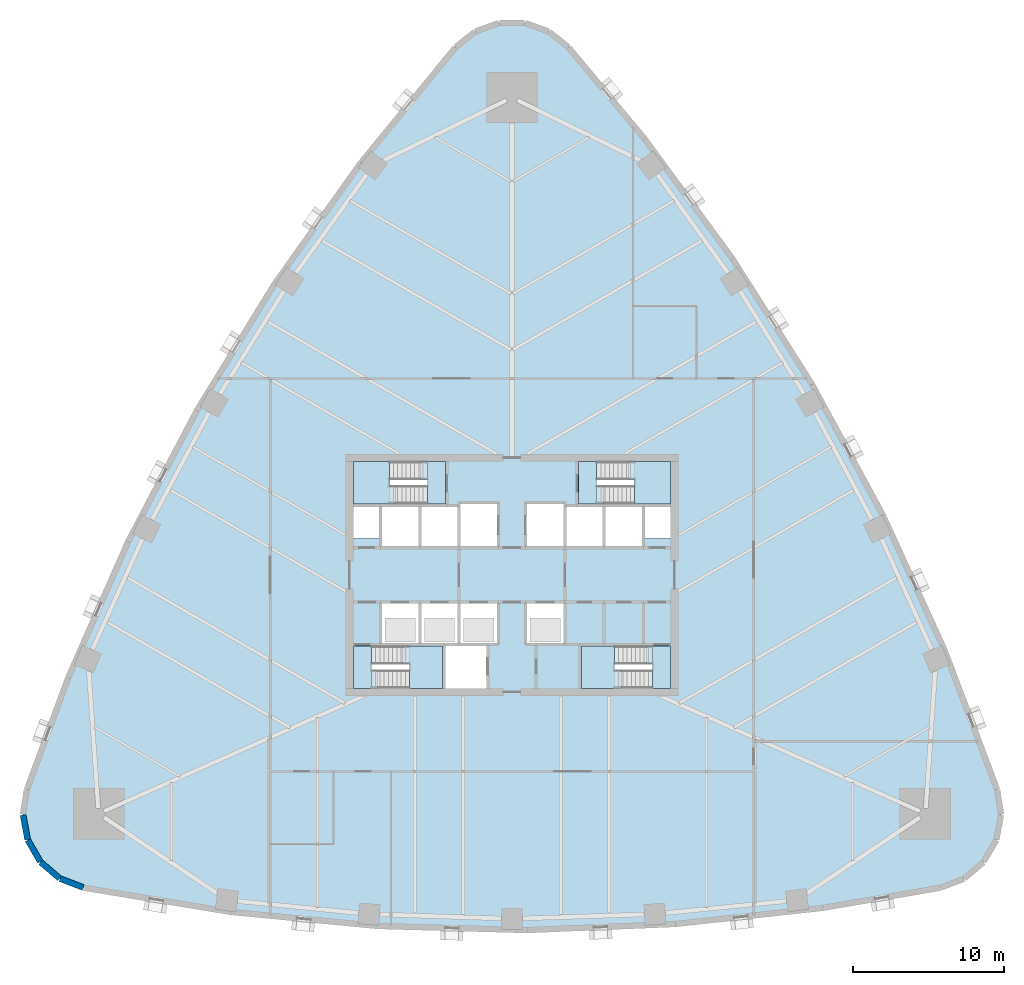
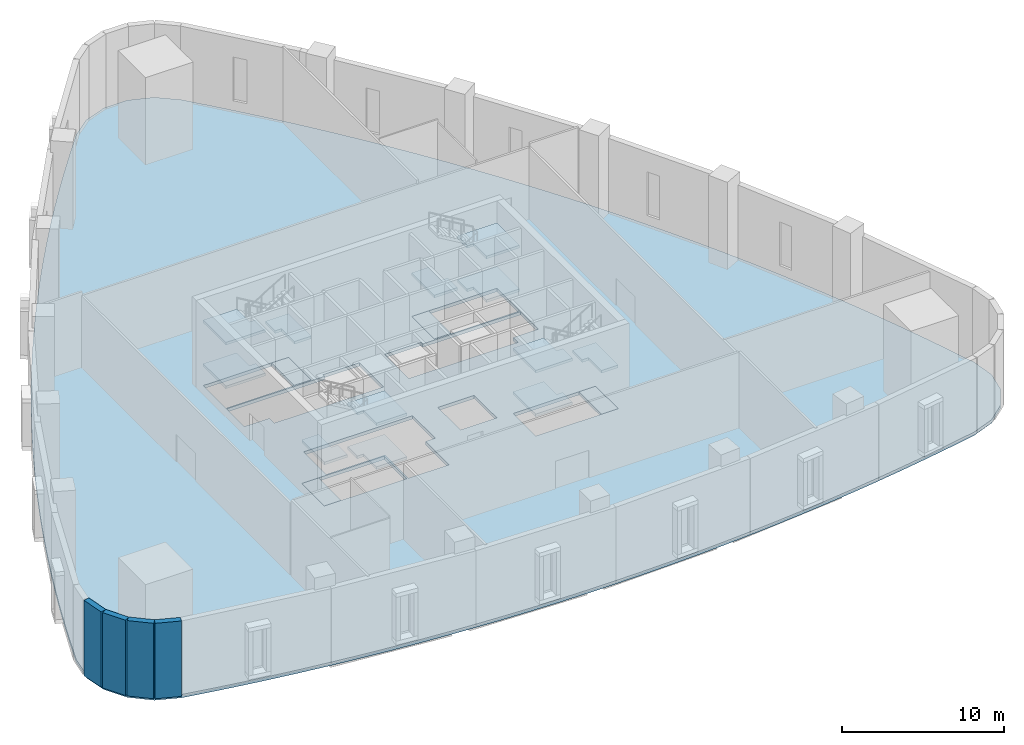
# One storey, part 2 of 11: 17 slabs, 4 walls, 4 elements without a shape of their own.
"""IFC4 building model written with IfcOpenShell, lengths in metres."""

import ifcopenshell
import ifcopenshell.guid

model = None  # the IFC model being written
_history = None  # IfcOwnerHistory: only IFC2X3 demands one
_inside = {}  # id of a spatial element -> (the spatial element, [elements in it])
_under = {}  # id of a project, library or spatial element -> (it, [spatial elements below it])
_declared = {}  # id of a project -> (the project, [libraries it declares])
_typed = {}  # id of a type object -> (the type object, [elements of that type])
_made_of = {}  # id of a material, layer set ... -> (it, [elements and type objects made of it])


def new_model(schema):
    """Start an empty IFC model of exactly this schema.

    Asked for "IFC4X3", IfcOpenShell would pick the latest addendum, in which some entities
    have other attributes; the version numbers below select the first issue.
    IFC2X3 requires an IfcOwnerHistory on every rooted entity: one is made here for all.
    """
    global model, _history
    if schema == "IFC4X3":
        model = ifcopenshell.file(schema_version=(4, 3, 0, 0))
    else:
        model = ifcopenshell.file(schema=schema)
    _inside.clear()
    _under.clear()
    _declared.clear()
    _typed.clear()
    _made_of.clear()
    _history = None
    if model.schema == "IFC2X3":
        org = make("IfcOrganization", Name="unknown")
        user = make(
            "IfcPersonAndOrganization",
            ThePerson=make("IfcPerson", FamilyName="unknown"),
            TheOrganization=org,
        )
        app = make(
            "IfcApplication",
            ApplicationDeveloper=org,
            Version="unknown",
            ApplicationFullName="unknown",
            ApplicationIdentifier="unknown",
        )
        _history = make(
            "IfcOwnerHistory",
            OwningUser=user,
            OwningApplication=app,
            ChangeAction="ADDED",
            CreationDate=0,
        )
    return model


def make(cls, **values):
    """One entity of the class cls with the attributes given. An attribute that is None is left unset."""
    return model.create_entity(
        cls, **{name: value for name, value in values.items() if value is not None}
    )


def rooted(cls, **values):
    """An entity with a GlobalId (a new one), such as an element, a storey or a relation."""
    return make(cls, GlobalId=ifcopenshell.guid.new(), OwnerHistory=_history, **values)


def si_unit(unit_type, name, prefix=None):
    """IfcSIUnit, for example si_unit("LENGTHUNIT", "METRE", prefix="MILLI")."""
    return make("IfcSIUnit", UnitType=unit_type, Prefix=prefix, Name=name)


def assignment(units):
    """IfcUnitAssignment: the units of a project."""
    return None if units is None else make("IfcUnitAssignment", Units=units)


def point(xyz):
    """IfcCartesianPoint."""
    return None if xyz is None else make("IfcCartesianPoint", Coordinates=xyz)


def direction(xyz):
    """IfcDirection."""
    return None if xyz is None else make("IfcDirection", DirectionRatios=xyz)


def frame(location, z_axis=None, x_axis=None):
    """IfcAxis2Placement3D, a coordinate frame: its origin and axes. An axis left out is left unset."""
    return make(
        "IfcAxis2Placement3D",
        Location=point(location),
        Axis=direction(z_axis),
        RefDirection=direction(x_axis),
    )


def frame_2d(location, x_axis=None):
    """IfcAxis2Placement2D, a coordinate frame in the plane: its origin and x axis."""
    return make(
        "IfcAxis2Placement2D", Location=point(location), RefDirection=direction(x_axis)
    )


def origin():
    """The frame at (0, 0, 0) with its axes left unset."""
    return frame((0.0, 0.0, 0.0))


def place(relative_to, where):
    """IfcLocalPlacement: puts the frame where relative to a parent placement (None: the world)."""
    return make(
        "IfcLocalPlacement", PlacementRelTo=relative_to, RelativePlacement=where
    )


def context(
    kind, dimensions, precision=None, world=None, true_north=None, identifier=None
):
    """IfcGeometricRepresentationContext, for example the 3D "Model" context."""
    return make(
        "IfcGeometricRepresentationContext",
        ContextIdentifier=identifier,
        ContextType=kind,
        CoordinateSpaceDimension=dimensions,
        Precision=precision,
        WorldCoordinateSystem=world,
        TrueNorth=true_north,
    )


def subcontext(parent, identifier, kind, view, scale=None):
    """IfcGeometricRepresentationSubContext, for example "Body" below "Model"."""
    return make(
        "IfcGeometricRepresentationSubContext",
        ContextIdentifier=identifier,
        ContextType=kind,
        ParentContext=parent,
        TargetScale=scale,
        TargetView=view,
    )


def project(units=None, contexts=None):
    """IfcProject with its units and contexts."""
    return rooted(
        "IfcProject",
        Name="project",
        RepresentationContexts=contexts,
        UnitsInContext=assignment(units),
    )


def spatial(cls, under=None, at=None, **own):
    """A site, building, storey or space (cls), placed at a placement, below another one or the project."""
    s = rooted(cls, ObjectPlacement=at, **own)
    if under is not None:
        _under.setdefault(under.id(), (under, []))[1].append(s)
    return s


def polyline(points):
    """IfcPolyline through the points."""
    return make("IfcPolyline", Points=[point(p) for p in points])


def profile(cls, at=None, kind="AREA", **sizes):
    """A parametric profile (cls). Its sizes go by their IFC names, for example OverallWidth=200.0."""
    return make(cls, ProfileType=kind, Position=at, **sizes)


def rectangle(**sizes):
    """IfcRectangleProfileDef."""
    return profile("IfcRectangleProfileDef", **sizes)


def outline(outer, holes=None, kind="AREA"):
    """IfcArbitraryClosedProfileDef: a profile drawn as a closed curve; with holes, ...WithVoids."""
    if holes is None:
        return make("IfcArbitraryClosedProfileDef", ProfileType=kind, OuterCurve=outer)
    return make(
        "IfcArbitraryProfileDefWithVoids",
        ProfileType=kind,
        OuterCurve=outer,
        InnerCurves=holes,
    )


def extrude(swept, where, along, depth):
    """IfcExtrudedAreaSolid: the profile swept, set in the frame where, extruded along a direction by depth."""
    return make(
        "IfcExtrudedAreaSolid",
        SweptArea=swept,
        Position=where,
        ExtrudedDirection=direction(along),
        Depth=depth,
    )


def shape(context_of_items, identifier, shape_type, items):
    """IfcShapeRepresentation: the items that make up one representation, for example the "Body"."""
    return make(
        "IfcShapeRepresentation",
        ContextOfItems=context_of_items,
        RepresentationIdentifier=identifier,
        RepresentationType=shape_type,
        Items=items,
    )


def material(Name=None, Category=None):
    """IfcMaterial."""
    return make("IfcMaterial", Name=Name, Category=Category)


def layer(
    of_material, thickness, ventilated=None, Name=None, Category=None, Priority=None
):
    """IfcMaterialLayer: one layer of a wall or slab, of a material (None: an air gap)."""
    return make(
        "IfcMaterialLayer",
        Material=of_material,
        LayerThickness=thickness,
        IsVentilated=ventilated,
        Name=Name,
        Category=Category,
        Priority=Priority,
    )


def layer_set(layers, Name=None):
    """IfcMaterialLayerSet."""
    return make("IfcMaterialLayerSet", MaterialLayers=layers, LayerSetName=Name)


def made_of(thing, what):
    """Note that an element or type object is made of a material, layer set ...; save() writes the relation."""
    if what is not None:
        _made_of.setdefault(what.id(), (what, []))[1].append(thing)
    return thing


def type_object(cls, material=None, **own):
    """A type object (cls), such as IfcWallType, which elements share."""
    return made_of(rooted(cls, **own), material)


def element(
    cls,
    number,
    at=None,
    inside=None,
    cuts=None,
    type_object=None,
    material=None,
    context=None,
    identifier="Body",
    shape_type=None,
    held_by="IfcProductDefinitionShape",
    body=None,
    shapes=None,
    **own,
):
    """One element of the class cls, such as IfcWall. Its Tag is "e" and its number.

    at: its placement. inside: the storey or other place that contains it. cuts: it is an
    opening in that element (IfcRelVoidsElement). A single representation is given by context,
    identifier, shape_type and body (its items); several are given by shapes. held_by: the class
    of the entity that holds the representations. save() writes the other relations.
    """
    e = rooted(cls, Tag="e%d" % number, ObjectPlacement=at, **own)
    if body is not None:
        shapes = [shape(context, identifier, shape_type, body)]
    if shapes is not None:
        e.Representation = make(held_by, Representations=shapes)
    if inside is not None:
        _inside.setdefault(inside.id(), (inside, []))[1].append(e)
    if cuts is not None:
        rooted(
            "IfcRelVoidsElement", RelatingBuildingElement=cuts, RelatedOpeningElement=e
        )
    if type_object is not None:
        _typed.setdefault(type_object.id(), (type_object, []))[1].append(e)
    return made_of(e, material)


def aggregate(whole, parts):
    """IfcRelAggregates: a whole, such as a stair, and the parts it consists of."""
    return rooted("IfcRelAggregates", RelatingObject=whole, RelatedObjects=parts)


def save(model, path):
    """Write the relations noted so far, then the file.

    IfcRelAggregates (storeys below a building ...), IfcRelContainedInSpatialStructure (elements
    in a storey), IfcRelDefinesByType, IfcRelAssociatesMaterial and IfcRelDeclares: one each for
    every whole, place, type object, material and project.
    """
    for whole, parts in _under.values():
        aggregate(whole, parts)
    for where, things in _inside.values():
        rooted(
            "IfcRelContainedInSpatialStructure",
            RelatedElements=things,
            RelatingStructure=where,
        )
    for kind, things in _typed.values():
        rooted("IfcRelDefinesByType", RelatedObjects=things, RelatingType=kind)
    for what, things in _made_of.values():
        rooted("IfcRelAssociatesMaterial", RelatedObjects=things, RelatingMaterial=what)
    for by, libraries in _declared.values():
        rooted("IfcRelDeclares", RelatingContext=by, RelatedDefinitions=libraries)
    model.write(path)


model = new_model("IFC4")

# Units and contexts
model_context = context("Model", 3, precision=1e-05, world=origin(), true_north=direction((0.0, 1.0)))
body_context = subcontext(model_context, "Body", "Model", "MODEL_VIEW")
ifc_project = project(units=[si_unit("LENGTHUNIT", "METRE"), si_unit("AREAUNIT", "SQUARE_METRE"), si_unit("VOLUMEUNIT", "CUBIC_METRE"), si_unit("PLANEANGLEUNIT", "RADIAN"), si_unit("MASSUNIT", "GRAM", prefix="KILO")], contexts=[model_context])

# Site, building, storey
site_placement = place(None, origin())
site = spatial("IfcSite", under=ifc_project, at=site_placement, CompositionType="ELEMENT")
building_placement = place(site_placement, origin())
building = spatial("IfcBuilding", under=site, at=building_placement, Name="Sierra Prisma Convention Tower", CompositionType="ELEMENT")
storey_placement = place(building_placement, frame((0.0, 0.0, 22.199951171875)))
storey = spatial("IfcBuildingStorey", under=building, at=storey_placement, Name="L03", CompositionType="ELEMENT", Elevation=22.199951171875)

# Slab
ifc_material_1 = material(Name="Concrete C35/45", Category="concrete")
ifc_layer_1 = layer(ifc_material_1, 0.25)
ifc_layer_set_1 = layer_set([ifc_layer_1], Name="Convention floor slab 250")
slab_type_1 = type_object("IfcSlabType", Name="Convention floor slab 250", PredefinedType="FLOOR", material=ifc_layer_set_1)
slab_1_placement = place(storey_placement, frame((0.0, 0.0, -0.25)))
element("IfcSlab", 1, at=slab_1_placement, inside=storey, type_object=slab_type_1, Name="Floor slab L03 floor", PredefinedType="FLOOR", context=body_context, shape_type="SweptSolid", body=[
    extrude(outline(polyline([(-28.3349609375, -20.696533203125), (-26.403564453125, -21.06884765625), (-24.467529296875, -21.414794921875), (-22.52685546875, -21.734375), (-20.581787109375, -22.027587890625), (-18.63330078125, -22.29443359375), (-16.68115234375, -22.53466796875), (-14.725830078125, -22.748291015625), (-12.767822265625, -22.93505859375), (-10.8076171875, -23.095458984375), (-8.845458984375, -23.229248046875), (-6.88134765625, -23.336181640625), (-4.916259765625, -23.41650390625), (-2.9501953125, -23.469970703125), (-0.9833984375, -23.49658203125), (0.9833984375, -23.49658203125), (2.9501953125, -23.469970703125), (4.916259765625, -23.41650390625), (6.88134765625, -23.336181640625), (8.845458984375, -23.229248046875), (10.8076171875, -23.095458984375), (12.767822265625, -22.93505859375), (14.725830078125, -22.748291015625), (16.68115234375, -22.53466796875), (18.63330078125, -22.29443359375), (20.581787109375, -22.027587890625), (22.52685546875, -21.734375), (24.467529296875, -21.414794921875), (26.403564453125, -21.06884765625), (28.3349609375, -20.696533203125), (29.913818359375, -20.089111328125), (31.199951171875, -18.989990234375), (32.045654296875, -17.52490234375), (32.354736328125, -15.861572265625), (32.091064453125, -14.1904296875), (31.447998046875, -12.331787109375), (30.779541015625, -10.48193359375), (30.0859375, -8.6416015625), (29.367431640625, -6.810546875), (28.6240234375, -4.98974609375), (27.85595703125, -3.178955078125), (27.0634765625, -1.37890625), (26.246337890625, 0.41015625), (25.405029296875, 2.18798828125), (24.539794921875, 3.954345703125), (23.650390625, 5.70849609375), (22.7373046875, 7.45068359375), (21.800537109375, 9.18017578125), (20.84033203125, 10.896728515625), (19.85693359375, 12.60009765625), (18.8505859375, 14.289794921875), (17.821044921875, 15.9658203125), (16.76904296875, 17.62744140625), (15.6943359375, 19.27490234375), (14.597412109375, 20.907470703125), (13.478515625, 22.52490234375), (12.337646484375, 24.126953125), (11.175048828125, 25.713623046875), (9.990966796875, 27.283935546875), (8.78564453125, 28.83837890625), (7.559326171875, 30.3759765625), (6.31201171875, 31.89697265625), (5.04443359375, 33.400634765625), (3.75634765625, 34.886962890625), (2.440673828125, 35.95068359375), (0.845947265625, 36.514892578125), (-0.845947265625, 36.514892578125), (-2.440673828125, 35.95068359375), (-3.75634765625, 34.886962890625), (-5.04443359375, 33.400634765625), (-6.31201171875, 31.89697265625), (-7.559326171875, 30.3759765625), (-8.78564453125, 28.83837890625), (-9.990966796875, 27.283935546875), (-11.175048828125, 25.713623046875), (-12.337646484375, 24.126953125), (-13.478515625, 22.52490234375), (-14.597412109375, 20.907470703125), (-15.6943359375, 19.27490234375), (-16.76904296875, 17.62744140625), (-17.821044921875, 15.9658203125), (-18.8505859375, 14.289794921875), (-19.85693359375, 12.60009765625), (-20.84033203125, 10.896728515625), (-21.800537109375, 9.18017578125), (-22.7373046875, 7.45068359375), (-23.650390625, 5.70849609375), (-24.539794921875, 3.954345703125), (-25.405029296875, 2.18798828125), (-26.246337890625, 0.41015625), (-27.0634765625, -1.37890625), (-27.85595703125, -3.178955078125), (-28.6240234375, -4.98974609375), (-29.367431640625, -6.810546875), (-30.0859375, -8.6416015625), (-30.779541015625, -10.48193359375), (-31.447998046875, -12.331787109375), (-32.091064453125, -14.1904296875), (-32.354736328125, -15.861572265625), (-32.045654296875, -17.52490234375), (-31.199951171875, -18.989990234375), (-29.913818359375, -20.089111328125), (-28.3349609375, -20.696533203125)]), holes=[polyline([(-4.60009765625, -7.5), (-10.5, -7.5), (-10.5, -4.699951171875), (-4.60009765625, -4.699951171875), (-4.60009765625, -7.5)]), polyline([(-8.699951171875, -4.60009765625), (-8.699951171875, -1.800048828125), (-6.10009765625, -1.800048828125), (-3.5, -1.800048828125), (-0.89990234375, -1.800048828125), (-0.89990234375, -4.60009765625), (-1.60009765625, -4.60009765625), (-1.60009765625, -7.5), (-4.5, -7.5), (-4.5, -4.60009765625), (-6.10009765625, -4.60009765625), (-8.699951171875, -4.60009765625)]), polyline([(-10.5, 4.60009765625), (-8.699951171875, 4.60009765625), (-6.10009765625, 4.60009765625), (-3.5, 4.60009765625), (-3.5, 4.800048828125), (-0.89990234375, 4.800048828125), (-0.89990234375, 1.800048828125), (-3.5, 1.800048828125), (-6.10009765625, 1.800048828125), (-8.699951171875, 1.800048828125), (-8.699951171875, 2.39990234375), (-10.5, 2.39990234375), (-10.5, 4.60009765625)]), polyline([(-4.39990234375, 4.699951171875), (-10.5, 4.699951171875), (-10.5, 7.5), (-4.39990234375, 7.5), (-4.39990234375, 4.699951171875)]), polyline([(10.5, -7.5), (4.60009765625, -7.5), (4.60009765625, -4.699951171875), (10.5, -4.699951171875), (10.5, -7.5)]), polyline([(3.5, -4.60009765625), (0.89990234375, -4.60009765625), (0.89990234375, -1.800048828125), (3.5, -1.800048828125), (3.5, -4.60009765625)]), polyline([(10.5, 4.60009765625), (10.5, 2.39990234375), (8.699951171875, 2.39990234375), (8.699951171875, 1.800048828125), (6.10009765625, 1.800048828125), (3.5, 1.800048828125), (0.89990234375, 1.800048828125), (0.89990234375, 4.800048828125), (3.5, 4.800048828125), (3.5, 4.60009765625), (6.10009765625, 4.60009765625), (8.699951171875, 4.60009765625), (10.5, 4.60009765625)]), polyline([(4.39990234375, 4.699951171875), (4.39990234375, 7.5), (10.5, 7.5), (10.5, 4.699951171875), (4.39990234375, 4.699951171875)])]), origin(), (0.0, 0.0, 1.0), 0.25),
])

# Stair, slabs
ifc_material_2 = material(Name="Concrete C30/37", Category="concrete")
stair_type = type_object("IfcStairType", Name="Stair dog-leg 1200 RC", PredefinedType="HALF_TURN_STAIR", material=ifc_material_2)
stair_1_placement = place(storey_placement, origin())
stair_1 = element("IfcStair", 2, at=stair_1_placement, inside=storey, type_object=stair_type, Name="L03 S1", PredefinedType="HALF_TURN_STAIR")
ifc_material_3 = material(Name="Concrete C35/45", Category="concrete")
ifc_layer_2 = layer(ifc_material_3, 0.199951171875)
ifc_layer_set_2 = layer_set([ifc_layer_2], Name="Stair landing slab")
slab_type_2 = type_object("IfcSlabType", Name="Stair landing slab", PredefinedType="LANDING", material=ifc_layer_set_2)
slab_2_placement = place(storey_placement, frame((0.0, 0.0, 1.449951171875)))
slab_2 = element("IfcSlab", 3, at=slab_2_placement, type_object=slab_type_2, Name="S1 landing 1", PredefinedType="LANDING", context=body_context, shape_type="SweptSolid", body=[
    extrude(outline(polyline([(-4.60009765625, -4.699951171875), (-4.60009765625, -7.5), (-6.781982421875, -7.5), (-6.781982421875, -5.89990234375), (-7.22998046875, -5.89990234375), (-7.22998046875, -4.699951171875), (-4.60009765625, -4.699951171875)])), origin(), (0.0, 0.0, 1.0), 0.2001953125),
])
slab_3_placement = place(storey_placement, frame((0.0, 0.0, 3.10009765625)))
slab_3 = element("IfcSlab", 4, at=slab_3_placement, type_object=slab_type_2, Name="S1 landing 2", PredefinedType="LANDING", context=body_context, shape_type="SweptSolid", body=[
    extrude(outline(polyline([(-10.5, -7.5), (-10.5, -4.699951171875), (-9.298095703125, -4.699951171875), (-9.298095703125, -6.300048828125), (-8.85009765625, -6.300048828125), (-8.85009765625, -7.5), (-10.5, -7.5)])), origin(), (0.0, 0.0, 1.0), 0.199951171875),
])
slab_4_placement = place(storey_placement, frame((0.0, 0.0, 4.75)))
slab_4 = element("IfcSlab", 5, at=slab_4_placement, type_object=slab_type_2, Name="S1 landing 3", PredefinedType="LANDING", context=body_context, shape_type="SweptSolid", body=[
    extrude(outline(polyline([(-4.60009765625, -4.699951171875), (-4.60009765625, -7.5), (-6.781982421875, -7.5), (-6.781982421875, -5.89990234375), (-7.22998046875, -5.89990234375), (-7.22998046875, -4.699951171875), (-4.60009765625, -4.699951171875)])), origin(), (0.0, 0.0, 1.0), 0.199951171875),
])
aggregate(stair_1, [slab_2, slab_3, slab_4])

# Slab
slab_5_placement = place(storey_placement, frame((0.0, 0.0, -0.199951171875)))
element("IfcSlab", 6, at=slab_5_placement, inside=storey, type_object=slab_type_2, Name="S1 floor landing L03", PredefinedType="LANDING", context=body_context, shape_type="SweptSolid", body=[
    extrude(outline(polyline([(-10.5, -7.5), (-9.298095703125, -7.5), (-9.298095703125, -4.699951171875), (-10.5, -4.699951171875), (-10.5, -7.5)])), origin(), (0.0, 0.0, 1.0), 0.199951171875),
])

# Stair, slabs
stair_2_placement = place(storey_placement, origin())
stair_2 = element("IfcStair", 7, at=stair_2_placement, inside=storey, type_object=stair_type, Name="L03 S2", PredefinedType="HALF_TURN_STAIR")
slab_6_placement = place(storey_placement, frame((0.0, 0.0, 1.449951171875)))
slab_6 = element("IfcSlab", 8, at=slab_6_placement, type_object=slab_type_2, Name="S2 landing 1", PredefinedType="LANDING", context=body_context, shape_type="SweptSolid", body=[
    extrude(outline(polyline([(7.22998046875, -6.300048828125), (7.22998046875, -7.5), (4.60009765625, -7.5), (4.60009765625, -4.699951171875), (6.781982421875, -4.699951171875), (6.781982421875, -6.300048828125), (7.22998046875, -6.300048828125)])), origin(), (0.0, 0.0, 1.0), 0.2001953125),
])
slab_7_placement = place(storey_placement, frame((0.0, 0.0, 3.10009765625)))
slab_7 = element("IfcSlab", 9, at=slab_7_placement, type_object=slab_type_2, Name="S2 landing 2", PredefinedType="LANDING", context=body_context, shape_type="SweptSolid", body=[
    extrude(outline(polyline([(10.5, -4.699951171875), (10.5, -7.5), (9.298095703125, -7.5), (9.298095703125, -5.89990234375), (8.85009765625, -5.89990234375), (8.85009765625, -4.699951171875), (10.5, -4.699951171875)])), origin(), (0.0, 0.0, 1.0), 0.199951171875),
])
slab_8_placement = place(storey_placement, frame((0.0, 0.0, 4.75)))
slab_8 = element("IfcSlab", 10, at=slab_8_placement, type_object=slab_type_2, Name="S2 landing 3", PredefinedType="LANDING", context=body_context, shape_type="SweptSolid", body=[
    extrude(outline(polyline([(7.22998046875, -6.300048828125), (7.22998046875, -7.5), (4.60009765625, -7.5), (4.60009765625, -4.699951171875), (6.781982421875, -4.699951171875), (6.781982421875, -6.300048828125), (7.22998046875, -6.300048828125)])), origin(), (0.0, 0.0, 1.0), 0.199951171875),
])
aggregate(stair_2, [slab_6, slab_7, slab_8])

# Slab
slab_9_placement = place(storey_placement, frame((0.0, 0.0, -0.199951171875)))
element("IfcSlab", 11, at=slab_9_placement, inside=storey, type_object=slab_type_2, Name="S2 floor landing L03", PredefinedType="LANDING", context=body_context, shape_type="SweptSolid", body=[
    extrude(outline(polyline([(10.5, -4.699951171875), (9.298095703125, -4.699951171875), (9.298095703125, -7.5), (10.5, -7.5), (10.5, -4.699951171875)])), origin(), (0.0, 0.0, 1.0), 0.199951171875),
])

# Stair, slabs
stair_3_placement = place(storey_placement, origin())
stair_3 = element("IfcStair", 12, at=stair_3_placement, inside=storey, type_object=stair_type, Name="L03 S3", PredefinedType="HALF_TURN_STAIR")
slab_10_placement = place(storey_placement, frame((0.0, 0.0, 1.449951171875)))
slab_10 = element("IfcSlab", 13, at=slab_10_placement, type_object=slab_type_2, Name="S3 landing 1", PredefinedType="LANDING", context=body_context, shape_type="SweptSolid", body=[
    extrude(outline(polyline([(-7.669921875, 5.89990234375), (-7.669921875, 4.699951171875), (-10.5, 4.699951171875), (-10.5, 7.5), (-8.117919921875, 7.5), (-8.117919921875, 5.89990234375), (-7.669921875, 5.89990234375)])), origin(), (0.0, 0.0, 1.0), 0.2001953125),
])
slab_11_placement = place(storey_placement, frame((0.0, 0.0, 3.10009765625)))
slab_11 = element("IfcSlab", 14, at=slab_11_placement, type_object=slab_type_2, Name="S3 landing 2", PredefinedType="LANDING", context=body_context, shape_type="SweptSolid", body=[
    extrude(outline(polyline([(-4.39990234375, 7.5), (-4.39990234375, 4.699951171875), (-5.60205078125, 4.699951171875), (-5.60205078125, 6.300048828125), (-6.050048828125, 6.300048828125), (-6.050048828125, 7.5), (-4.39990234375, 7.5)])), origin(), (0.0, 0.0, 1.0), 0.199951171875),
])
slab_12_placement = place(storey_placement, frame((0.0, 0.0, 4.75)))
slab_12 = element("IfcSlab", 15, at=slab_12_placement, type_object=slab_type_2, Name="S3 landing 3", PredefinedType="LANDING", context=body_context, shape_type="SweptSolid", body=[
    extrude(outline(polyline([(-7.669921875, 5.89990234375), (-7.669921875, 4.699951171875), (-10.5, 4.699951171875), (-10.5, 7.5), (-8.117919921875, 7.5), (-8.117919921875, 5.89990234375), (-7.669921875, 5.89990234375)])), origin(), (0.0, 0.0, 1.0), 0.199951171875),
])
aggregate(stair_3, [slab_10, slab_11, slab_12])

# Slab
slab_13_placement = place(storey_placement, frame((0.0, 0.0, -0.199951171875)))
element("IfcSlab", 16, at=slab_13_placement, inside=storey, type_object=slab_type_2, Name="S3 floor landing L03", PredefinedType="LANDING", context=body_context, shape_type="SweptSolid", body=[
    extrude(outline(polyline([(-4.39990234375, 7.5), (-5.60205078125, 7.5), (-5.60205078125, 4.699951171875), (-4.39990234375, 4.699951171875), (-4.39990234375, 7.5)])), origin(), (0.0, 0.0, 1.0), 0.199951171875),
])

# Stair, slabs
stair_4_placement = place(storey_placement, origin())
stair_4 = element("IfcStair", 17, at=stair_4_placement, inside=storey, type_object=stair_type, Name="L03 S4", PredefinedType="HALF_TURN_STAIR")
slab_14_placement = place(storey_placement, frame((0.0, 0.0, 1.449951171875)))
slab_14 = element("IfcSlab", 18, at=slab_14_placement, type_object=slab_type_2, Name="S4 landing 1", PredefinedType="LANDING", context=body_context, shape_type="SweptSolid", body=[
    extrude(outline(polyline([(10.5, 7.5), (10.5, 4.699951171875), (8.117919921875, 4.699951171875), (8.117919921875, 6.300048828125), (7.669921875, 6.300048828125), (7.669921875, 7.5), (10.5, 7.5)])), origin(), (0.0, 0.0, 1.0), 0.2001953125),
])
slab_15_placement = place(storey_placement, frame((0.0, 0.0, 3.10009765625)))
slab_15 = element("IfcSlab", 19, at=slab_15_placement, type_object=slab_type_2, Name="S4 landing 2", PredefinedType="LANDING", context=body_context, shape_type="SweptSolid", body=[
    extrude(outline(polyline([(4.39990234375, 4.699951171875), (4.39990234375, 7.5), (5.60205078125, 7.5), (5.60205078125, 5.89990234375), (6.050048828125, 5.89990234375), (6.050048828125, 4.699951171875), (4.39990234375, 4.699951171875)])), origin(), (0.0, 0.0, 1.0), 0.199951171875),
])
slab_16_placement = place(storey_placement, frame((0.0, 0.0, 4.75)))
slab_16 = element("IfcSlab", 20, at=slab_16_placement, type_object=slab_type_2, Name="S4 landing 3", PredefinedType="LANDING", context=body_context, shape_type="SweptSolid", body=[
    extrude(outline(polyline([(10.5, 7.5), (10.5, 4.699951171875), (8.117919921875, 4.699951171875), (8.117919921875, 6.300048828125), (7.669921875, 6.300048828125), (7.669921875, 7.5), (10.5, 7.5)])), origin(), (0.0, 0.0, 1.0), 0.199951171875),
])
aggregate(stair_4, [slab_14, slab_15, slab_16])

# Slab
slab_17_placement = place(storey_placement, frame((0.0, 0.0, -0.199951171875)))
element("IfcSlab", 21, at=slab_17_placement, inside=storey, type_object=slab_type_2, Name="S4 floor landing L03", PredefinedType="LANDING", context=body_context, shape_type="SweptSolid", body=[
    extrude(outline(polyline([(4.39990234375, 4.699951171875), (5.60205078125, 4.699951171875), (5.60205078125, 7.5), (4.39990234375, 7.5), (4.39990234375, 4.699951171875)])), origin(), (0.0, 0.0, 1.0), 0.199951171875),
])

# Walls
ifc_material_4 = material(Name="Concrete C40/50, terracotta plaster finish", Category="masonry")
ifc_layer_3 = layer(ifc_material_4, 0.39990234375)
ifc_layer_set_3 = layer_set([ifc_layer_3], Name="Podium plastered wall 400")
wall_type = type_object("IfcWallType", Name="Podium plastered wall 400", PredefinedType="STANDARD", material=ifc_layer_set_3)
for number, where, z_axis, x_axis, name in (
    (22, (-32.05224609375, -17.50927734375, 0.0), (0.0, 0.0, 1.0), (-0.182653168579, 0.983177410241, 0.0), "Podium wall L03 23"),
    (23, (-31.211181640625, -18.9775390625, 0.0), (0.0, 0.0, 1.0), (-0.499985761608, 0.866033624168, 0.0), "Podium wall L03 24"),
    (24, (-29.9287109375, -20.0810546875, 0.0), (0.0, 0.0, 1.0), (-0.760211621525, 0.649675527089, 0.0), "Podium wall L03 25"),
):
    element("IfcWall", number, at=place(storey_placement, frame(where, z_axis=z_axis, x_axis=x_axis)), inside=storey, type_object=wall_type, Name=name, PredefinedType="STANDARD", context=body_context, shape_type="SweptSolid", body=[
        extrude(rectangle(XDim=1.65869140625, YDim=0.39990234375, at=frame_2d((0.829345703125, 0.0))), origin(), (0.0, 0.0, 1.0), 5.699951171875),
    ])
wall_placement = place(storey_placement, frame((-28.36328125, -20.689453125, 0.0), z_axis=(0.0, 0.0, 1.0), x_axis=(-0.933315023429, 0.359058584415, 0.0)))
element("IfcWall", 25, at=wall_placement, inside=storey, type_object=wall_type, Name="Podium wall L03 26", PredefinedType="STANDARD", context=body_context, shape_type="SweptSolid", body=[
    extrude(rectangle(XDim=1.646240234375, YDim=0.39990234375, at=frame_2d((0.8232421875, 0.0))), origin(), (0.0, 0.0, 1.0), 5.699951171875),
])

save(model, "model.ifc")
